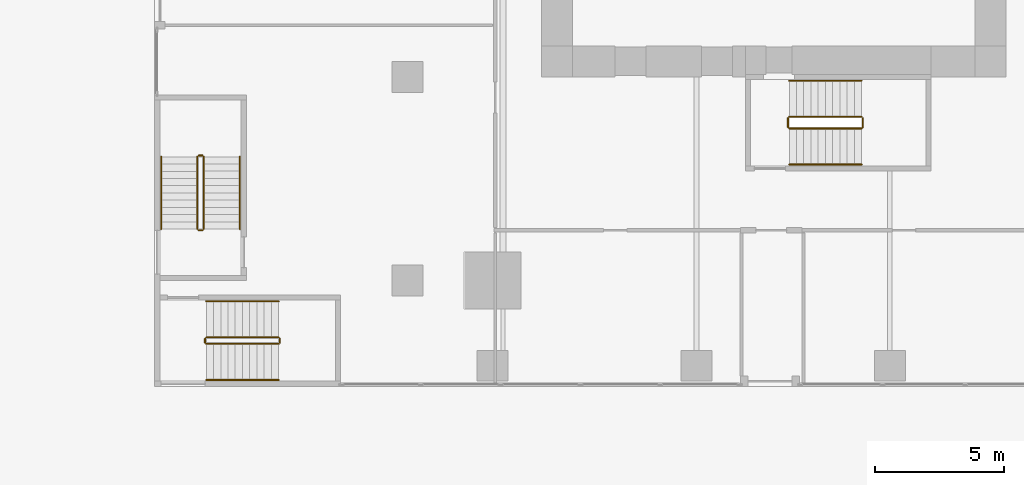
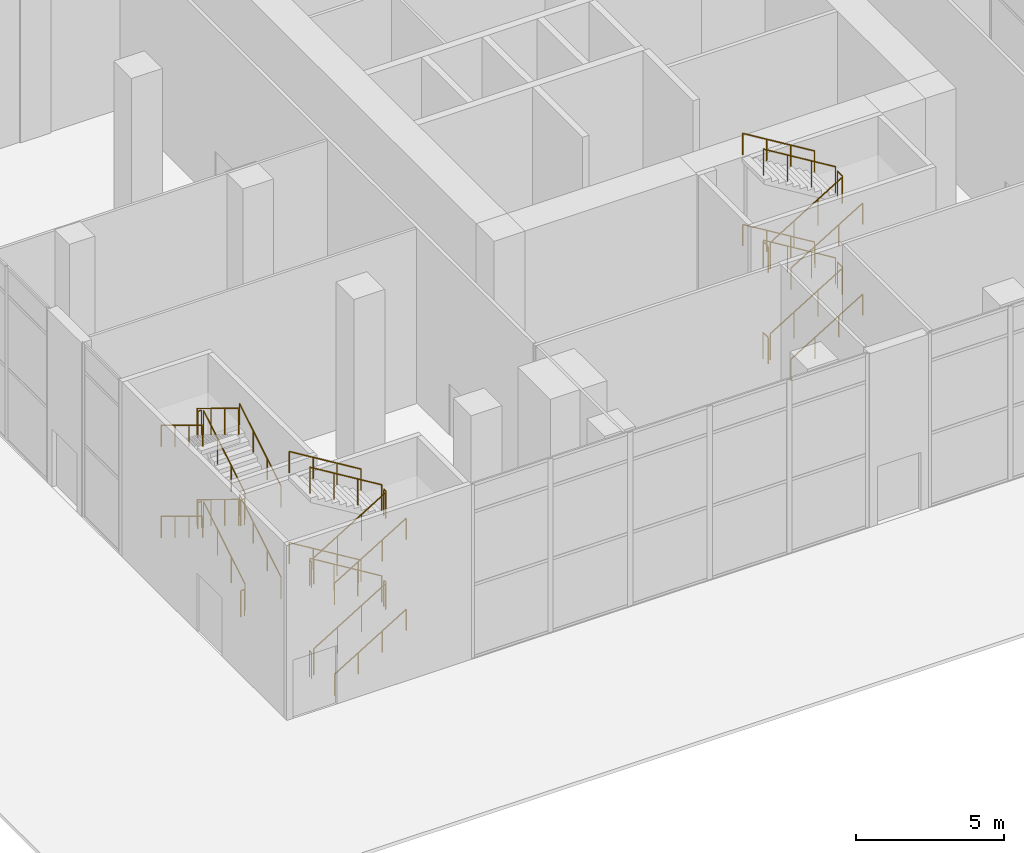
# One storey, part 44 of 52: 36 railings.
"""IFC4 building model written with IfcOpenShell, lengths in metres."""

from ifc_helpers import new_model, si_unit, direction, frame, origin, origin_2d, place, context, subcontext, project, spatial, circle, extrude, source, transform, mapped, material, type_object, element, save


model = new_model("IFC4")

# Units and contexts
model_context = context("Model", 3, precision=1e-05, world=origin(), true_north=direction((0.0, 1.0)))
body_context = subcontext(model_context, "Body", "Model", "MODEL_VIEW")
ifc_project = project(units=[si_unit("LENGTHUNIT", "METRE"), si_unit("AREAUNIT", "SQUARE_METRE"), si_unit("VOLUMEUNIT", "CUBIC_METRE"), si_unit("PLANEANGLEUNIT", "RADIAN"), si_unit("MASSUNIT", "GRAM", prefix="KILO")], contexts=[model_context])

# Site, building, storey
site_placement = place(None, origin())
site = spatial("IfcSite", under=ifc_project, at=site_placement, CompositionType="ELEMENT")
building_placement = place(site_placement, origin())
building = spatial("IfcBuilding", under=site, at=building_placement, Name="Khomas Fold Tower", CompositionType="ELEMENT")
storey_placement = place(building_placement, origin())
storey = spatial("IfcBuildingStorey", under=building, at=storey_placement, Name="L00", CompositionType="ELEMENT", Elevation=0.0)

# Railings
ifc_material_1 = material(Name="Steel balustrade", Category="steel")
railing_type_1 = type_object("IfcRailingType", Name="Stair guard", PredefinedType="GUARDRAIL", material=ifc_material_1)
shared_shape_1 = source(origin(), body_context, "Body", "SweptSolid", [
    extrude(circle(Radius=0.02392578125, at=origin_2d()), frame((0.0, 0.0, 1.076171875), z_axis=(0.0, 1.0, 0.0), x_axis=(-1.0, 0.0, 0.0)), (0.0, 0.0, 1.0), 0.349853515625),
    extrude(circle(Radius=0.02099609375, at=origin_2d()), origin(), (0.0, 0.0, 1.0), 1.052001953125),
    extrude(circle(Radius=0.02099609375, at=origin_2d()), frame((0.0, 0.349853515625, 0.0)), (0.0, 0.0, 1.0), 1.052001953125),
])
for number, where, name in (
    (1, (18.449951171875, 10.050048828125, 1.875), "L00 ST2 stair guard 2"),
    (2, (15.550048828125, 10.050048828125, 3.75), "L00 ST2 stair guard 4"),
    (3, (18.449951171875, 10.050048828125, 5.625), "L00 ST2 stair guard 6"),
    (4, (15.550048828125, 10.050048828125, 0.0), "L00 ST2 stair guard 8"),
):
    element("IfcRailing", number, at=place(storey_placement, frame(where)), inside=storey, type_object=railing_type_1, Name=name, PredefinedType="GUARDRAIL", context=body_context, shape_type="MappedRepresentation", body=[
        mapped(shared_shape_1, transform((0.0, 0.0, 0.0))),
    ])
shared_shape_2 = source(origin(), body_context, "Body", "SweptSolid", [
    extrude(circle(Radius=0.02392578125, at=origin_2d()), frame((0.0, 0.0, 1.076171875), z_axis=(0.854149651119, 0.0, 0.520027281489), x_axis=(0.0, 1.0, 0.0)), (0.0, 0.0, 1.0), 3.27783203125),
    extrude(circle(Radius=0.02099609375, at=origin_2d()), origin(), (0.0, 0.0, 1.0), 1.052001953125),
    extrude(circle(Radius=0.02099609375, at=origin_2d()), frame((0.933349609375, 0.0, 0.568115234375)), (0.0, 0.0, 1.0), 1.052001953125),
    extrude(circle(Radius=0.02099609375, at=origin_2d()), frame((1.866455078125, 0.0, 1.136474609375)), (0.0, 0.0, 1.0), 1.052001953125),
    extrude(circle(Radius=0.02099609375, at=origin_2d()), frame((2.7998046875, 0.0, 1.70458984375)), (0.0, 0.0, 1.0), 1.052001953125),
])
for number, where, name in (
    (5, (15.60009765625, 10.0, 0.17041015625), "L00 ST2 stair guard 1"),
    (6, (15.60009765625, 10.0, 3.92041015625), "L00 ST2 stair guard 5"),
):
    element("IfcRailing", number, at=place(storey_placement, frame(where)), inside=storey, type_object=railing_type_1, Name=name, PredefinedType="GUARDRAIL", context=body_context, shape_type="MappedRepresentation", body=[
        mapped(shared_shape_2, transform((0.0, 0.0, 0.0))),
    ])
shared_shape_3 = source(origin(), body_context, "Body", "SweptSolid", [
    extrude(circle(Radius=0.02392578125, at=origin_2d()), frame((0.0, 0.0, 1.076171875), z_axis=(-0.854149651119, 0.0, 0.520027281489), x_axis=(0.0, -1.0, 0.0)), (0.0, 0.0, 1.0), 3.27783203125),
    extrude(circle(Radius=0.02099609375, at=origin_2d()), origin(), (0.0, 0.0, 1.0), 1.052001953125),
    extrude(circle(Radius=0.02099609375, at=origin_2d()), frame((-0.933349609375, 0.0, 0.568115234375)), (0.0, 0.0, 1.0), 1.052001953125),
    extrude(circle(Radius=0.02099609375, at=origin_2d()), frame((-1.866455078125, 0.0, 1.136474609375)), (0.0, 0.0, 1.0), 1.052001953125),
    extrude(circle(Radius=0.02099609375, at=origin_2d()), frame((-2.7998046875, 0.0, 1.70458984375)), (0.0, 0.0, 1.0), 1.052001953125),
])
for number, where, name in (
    (7, (18.39990234375, 10.449951171875, 2.04541015625), "L00 ST2 stair guard 3"),
    (8, (18.39990234375, 10.449951171875, 5.79541015625), "L00 ST2 stair guard 7"),
):
    element("IfcRailing", number, at=place(storey_placement, frame(where)), inside=storey, type_object=railing_type_1, Name=name, PredefinedType="GUARDRAIL", context=body_context, shape_type="MappedRepresentation", body=[
        mapped(shared_shape_3, transform((0.0, 0.0, 0.0))),
    ])
ifc_material_2 = material(Name="Steel handrail", Category="steel")
railing_type_2 = type_object("IfcRailingType", Name="Stair handrail", PredefinedType="HANDRAIL", material=ifc_material_2)
shared_shape_4 = source(origin(), body_context, "Body", "SweptSolid", [
    extrude(circle(Radius=0.02392578125, at=origin_2d()), frame((0.0, 0.0, 0.8759765625), z_axis=(0.854149651119, 0.0, 0.520027281489), x_axis=(0.0, 1.0, 0.0)), (0.0, 0.0, 1.0), 3.27783203125),
    extrude(circle(Radius=0.02099609375, at=origin_2d()), origin(), (0.0, 0.0, 1.0), 0.851806640625),
    extrude(circle(Radius=0.02099609375, at=origin_2d()), frame((0.933349609375, 0.0, 0.568115234375)), (0.0, 0.0, 1.0), 0.851806640625),
    extrude(circle(Radius=0.02099609375, at=origin_2d()), frame((1.866455078125, 0.0, 1.136474609375)), (0.0, 0.0, 1.0), 0.851806640625),
    extrude(circle(Radius=0.02099609375, at=origin_2d()), frame((2.7998046875, 0.0, 1.70458984375)), (0.0, 0.0, 1.0), 0.851806640625),
])
for number, where, name in (
    (9, (15.60009765625, 8.60009765625, 0.17041015625), "L00 ST2 stair handrail 1"),
    (10, (15.60009765625, 8.60009765625, 3.92041015625), "L00 ST2 stair handrail 3"),
):
    element("IfcRailing", number, at=place(storey_placement, frame(where)), inside=storey, type_object=railing_type_2, Name=name, PredefinedType="HANDRAIL", context=body_context, shape_type="MappedRepresentation", body=[
        mapped(shared_shape_4, transform((0.0, 0.0, 0.0))),
    ])
shared_shape_5 = source(origin(), body_context, "Body", "SweptSolid", [
    extrude(circle(Radius=0.02392578125, at=origin_2d()), frame((0.0, 0.0, 0.8759765625), z_axis=(-0.854149651119, 0.0, 0.520027281489), x_axis=(0.0, -1.0, 0.0)), (0.0, 0.0, 1.0), 3.27783203125),
    extrude(circle(Radius=0.02099609375, at=origin_2d()), origin(), (0.0, 0.0, 1.0), 0.851806640625),
    extrude(circle(Radius=0.02099609375, at=origin_2d()), frame((-0.933349609375, 0.0, 0.568115234375)), (0.0, 0.0, 1.0), 0.851806640625),
    extrude(circle(Radius=0.02099609375, at=origin_2d()), frame((-1.866455078125, 0.0, 1.136474609375)), (0.0, 0.0, 1.0), 0.851806640625),
    extrude(circle(Radius=0.02099609375, at=origin_2d()), frame((-2.7998046875, 0.0, 1.70458984375)), (0.0, 0.0, 1.0), 0.851806640625),
])
for number, where, name in (
    (11, (18.39990234375, 11.85009765625, 2.04541015625), "L00 ST2 stair handrail 2"),
    (12, (18.39990234375, 11.85009765625, 5.79541015625), "L00 ST2 stair handrail 4"),
):
    element("IfcRailing", number, at=place(storey_placement, frame(where)), inside=storey, type_object=railing_type_2, Name=name, PredefinedType="HANDRAIL", context=body_context, shape_type="MappedRepresentation", body=[
        mapped(shared_shape_5, transform((0.0, 0.0, 0.0))),
    ])
shared_shape_6 = source(origin(), body_context, "Body", "SweptSolid", [
    extrude(circle(Radius=0.02392578125, at=origin_2d()), frame((0.0, 0.0, 1.076171875), z_axis=(0.854169791009, 0.0, 0.51999420009), x_axis=(0.0, 1.0, 0.0)), (0.0, 0.0, 1.0), 3.278076171875),
    extrude(circle(Radius=0.02099609375, at=origin_2d()), origin(), (0.0, 0.0, 1.0), 1.052001953125),
    extrude(circle(Radius=0.02099609375, at=origin_2d()), frame((0.933349609375, 0.0, 0.568115234375)), (0.0, 0.0, 1.0), 1.052001953125),
    extrude(circle(Radius=0.02099609375, at=origin_2d()), frame((1.86669921875, 0.0, 1.136474609375)), (0.0, 0.0, 1.0), 1.052001953125),
    extrude(circle(Radius=0.02099609375, at=origin_2d()), frame((2.800048828125, 0.0, 1.70458984375)), (0.0, 0.0, 1.0), 1.052001953125),
])
for number, where, name in (
    (13, (-7.0, 1.64990234375, 0.17041015625), "L00 PS1 stair guard 1"),
    (14, (-7.0, 1.64990234375, 3.92041015625), "L00 PS1 stair guard 5"),
):
    element("IfcRailing", number, at=place(storey_placement, frame(where)), inside=storey, type_object=railing_type_1, Name=name, PredefinedType="GUARDRAIL", context=body_context, shape_type="MappedRepresentation", body=[
        mapped(shared_shape_6, transform((0.0, 0.0, 0.0))),
    ])
shared_shape_7 = source(origin(), body_context, "Body", "SweptSolid", [
    extrude(circle(Radius=0.02392578125, at=origin_2d()), frame((0.0, 0.0, 1.076171875), z_axis=(-0.854169791009, 0.0, 0.51999420009), x_axis=(0.0, -1.0, 0.0)), (0.0, 0.0, 1.0), 3.278076171875),
    extrude(circle(Radius=0.02099609375, at=origin_2d()), origin(), (0.0, 0.0, 1.0), 1.052001953125),
    extrude(circle(Radius=0.02099609375, at=origin_2d()), frame((-0.933349609375, 0.0, 0.568115234375)), (0.0, 0.0, 1.0), 1.052001953125),
    extrude(circle(Radius=0.02099609375, at=origin_2d()), frame((-1.86669921875, 0.0, 1.136474609375)), (0.0, 0.0, 1.0), 1.052001953125),
    extrude(circle(Radius=0.02099609375, at=origin_2d()), frame((-2.800048828125, 0.0, 1.70458984375)), (0.0, 0.0, 1.0), 1.052001953125),
])
for number, where, name in (
    (15, (-4.199951171875, 1.89990234375, 2.04541015625), "L00 PS1 stair guard 3"),
    (16, (-4.199951171875, 1.89990234375, 5.79541015625), "L00 PS1 stair guard 7"),
):
    element("IfcRailing", number, at=place(storey_placement, frame(where)), inside=storey, type_object=railing_type_1, Name=name, PredefinedType="GUARDRAIL", context=body_context, shape_type="MappedRepresentation", body=[
        mapped(shared_shape_7, transform((0.0, 0.0, 0.0))),
    ])
shared_shape_8 = source(origin(), body_context, "Body", "SweptSolid", [
    extrude(circle(Radius=0.02392578125, at=origin_2d()), frame((0.0, 0.0, 0.8759765625), z_axis=(0.854169791009, 0.0, 0.51999420009), x_axis=(0.0, 1.0, 0.0)), (0.0, 0.0, 1.0), 3.278076171875),
    extrude(circle(Radius=0.02099609375, at=origin_2d()), origin(), (0.0, 0.0, 1.0), 0.851806640625),
    extrude(circle(Radius=0.02099609375, at=origin_2d()), frame((0.933349609375, 0.0, 0.568115234375)), (0.0, 0.0, 1.0), 0.851806640625),
    extrude(circle(Radius=0.02099609375, at=origin_2d()), frame((1.86669921875, 0.0, 1.136474609375)), (0.0, 0.0, 1.0), 0.851806640625),
    extrude(circle(Radius=0.02099609375, at=origin_2d()), frame((2.800048828125, 0.0, 1.70458984375)), (0.0, 0.0, 1.0), 0.851806640625),
])
for number, where, name in (
    (17, (-7.0, 0.25, 0.17041015625), "L00 PS1 stair handrail 1"),
    (18, (-7.0, 0.25, 3.92041015625), "L00 PS1 stair handrail 3"),
):
    element("IfcRailing", number, at=place(storey_placement, frame(where)), inside=storey, type_object=railing_type_2, Name=name, PredefinedType="HANDRAIL", context=body_context, shape_type="MappedRepresentation", body=[
        mapped(shared_shape_8, transform((0.0, 0.0, 0.0))),
    ])
shared_shape_9 = source(origin(), body_context, "Body", "SweptSolid", [
    extrude(circle(Radius=0.02392578125, at=origin_2d()), frame((0.0, 0.0, 0.8759765625), z_axis=(-0.854169791009, 0.0, 0.51999420009), x_axis=(0.0, -1.0, 0.0)), (0.0, 0.0, 1.0), 3.278076171875),
    extrude(circle(Radius=0.02099609375, at=origin_2d()), origin(), (0.0, 0.0, 1.0), 0.851806640625),
    extrude(circle(Radius=0.02099609375, at=origin_2d()), frame((-0.933349609375, 0.0, 0.568115234375)), (0.0, 0.0, 1.0), 0.851806640625),
    extrude(circle(Radius=0.02099609375, at=origin_2d()), frame((-1.86669921875, 0.0, 1.136474609375)), (0.0, 0.0, 1.0), 0.851806640625),
    extrude(circle(Radius=0.02099609375, at=origin_2d()), frame((-2.800048828125, 0.0, 1.70458984375)), (0.0, 0.0, 1.0), 0.851806640625),
])
for number, where, name in (
    (19, (-4.199951171875, 3.300048828125, 2.04541015625), "L00 PS1 stair handrail 2"),
    (20, (-4.199951171875, 3.300048828125, 5.79541015625), "L00 PS1 stair handrail 4"),
):
    element("IfcRailing", number, at=place(storey_placement, frame(where)), inside=storey, type_object=railing_type_2, Name=name, PredefinedType="HANDRAIL", context=body_context, shape_type="MappedRepresentation", body=[
        mapped(shared_shape_9, transform((0.0, 0.0, 0.0))),
    ])
shared_shape_10 = source(origin(), body_context, "Body", "SweptSolid", [
    extrude(circle(Radius=0.02392578125, at=origin_2d()), frame((0.0, 0.0, 1.076171875), z_axis=(0.0, 1.0, 0.0), x_axis=(-1.0, 0.0, 0.0)), (0.0, 0.0, 1.0), 0.150146484375),
    extrude(circle(Radius=0.02099609375, at=origin_2d()), origin(), (0.0, 0.0, 1.0), 1.052001953125),
    extrude(circle(Radius=0.02099609375, at=origin_2d()), frame((0.0, 0.150146484375, 0.0)), (0.0, 0.0, 1.0), 1.052001953125),
])
for number, where, name in (
    (21, (-4.14990234375, 1.699951171875, 1.875), "L00 PS1 stair guard 2"),
    (22, (-7.050048828125, 1.699951171875, 3.75), "L00 PS1 stair guard 4"),
    (23, (-4.14990234375, 1.699951171875, 5.625), "L00 PS1 stair guard 6"),
    (24, (-7.050048828125, 1.699951171875, 0.0), "L00 PS1 stair guard 8"),
):
    element("IfcRailing", number, at=place(storey_placement, frame(where)), inside=storey, type_object=railing_type_1, Name=name, PredefinedType="GUARDRAIL", context=body_context, shape_type="MappedRepresentation", body=[
        mapped(shared_shape_10, transform((0.0, 0.0, 0.0))),
    ])
shared_shape_11 = source(origin(), body_context, "Body", "SweptSolid", [
    extrude(circle(Radius=0.02392578125, at=origin_2d()), frame((0.0, 0.0, 1.076171875), z_axis=(0.0, 0.854149651119, 0.520027281489), x_axis=(-1.0, 0.0, 0.0)), (0.0, 0.0, 1.0), 3.27783203125),
    extrude(circle(Radius=0.02099609375, at=origin_2d()), origin(), (0.0, 0.0, 1.0), 1.052001953125),
    extrude(circle(Radius=0.02099609375, at=origin_2d()), frame((0.0, 0.933349609375, 0.568115234375)), (0.0, 0.0, 1.0), 1.052001953125),
    extrude(circle(Radius=0.02099609375, at=origin_2d()), frame((0.0, 1.866455078125, 1.136474609375)), (0.0, 0.0, 1.0), 1.052001953125),
    extrude(circle(Radius=0.02099609375, at=origin_2d()), frame((0.0, 2.7998046875, 1.70458984375)), (0.0, 0.0, 1.0), 1.052001953125),
])
for number, where, name in (
    (25, (-7.10009765625, 6.10009765625, 0.17041015625), "L00 PS2 stair guard 1"),
    (26, (-7.10009765625, 6.10009765625, 3.92041015625), "L00 PS2 stair guard 5"),
):
    element("IfcRailing", number, at=place(storey_placement, frame(where)), inside=storey, type_object=railing_type_1, Name=name, PredefinedType="GUARDRAIL", context=body_context, shape_type="MappedRepresentation", body=[
        mapped(shared_shape_11, transform((0.0, 0.0, 0.0))),
    ])
shared_shape_12 = source(origin(), body_context, "Body", "SweptSolid", [
    extrude(circle(Radius=0.02392578125, at=origin_2d()), frame((0.0, 0.0, 1.076171875), z_axis=(-1.0, 0.0, 0.0), x_axis=(0.0, -1.0, 0.0)), (0.0, 0.0, 1.0), 0.150146484375),
    extrude(circle(Radius=0.02099609375, at=origin_2d()), origin(), (0.0, 0.0, 1.0), 1.052001953125),
    extrude(circle(Radius=0.02099609375, at=origin_2d()), frame((-0.150146484375, 0.0, 0.0)), (0.0, 0.0, 1.0), 1.052001953125),
])
for number, where, name in (
    (27, (-7.14990234375, 8.949951171875, 1.875), "L00 PS2 stair guard 2"),
    (28, (-7.14990234375, 6.050048828125, 3.75), "L00 PS2 stair guard 4"),
    (29, (-7.14990234375, 8.949951171875, 5.625), "L00 PS2 stair guard 6"),
    (30, (-7.14990234375, 6.050048828125, 0.0), "L00 PS2 stair guard 8"),
):
    element("IfcRailing", number, at=place(storey_placement, frame(where)), inside=storey, type_object=railing_type_1, Name=name, PredefinedType="GUARDRAIL", context=body_context, shape_type="MappedRepresentation", body=[
        mapped(shared_shape_12, transform((0.0, 0.0, 0.0))),
    ])
shared_shape_13 = source(origin(), body_context, "Body", "SweptSolid", [
    extrude(circle(Radius=0.02392578125, at=origin_2d()), frame((0.0, 0.0, 1.076171875), z_axis=(0.0, -0.854149651119, 0.520027281489), x_axis=(1.0, 0.0, 0.0)), (0.0, 0.0, 1.0), 3.27783203125),
    extrude(circle(Radius=0.02099609375, at=origin_2d()), origin(), (0.0, 0.0, 1.0), 1.052001953125),
    extrude(circle(Radius=0.02099609375, at=origin_2d()), frame((0.0, -0.933349609375, 0.568115234375)), (0.0, 0.0, 1.0), 1.052001953125),
    extrude(circle(Radius=0.02099609375, at=origin_2d()), frame((0.0, -1.866455078125, 1.136474609375)), (0.0, 0.0, 1.0), 1.052001953125),
    extrude(circle(Radius=0.02099609375, at=origin_2d()), frame((0.0, -2.7998046875, 1.70458984375)), (0.0, 0.0, 1.0), 1.052001953125),
])
for number, where, name in (
    (31, (-7.35009765625, 8.89990234375, 2.04541015625), "L00 PS2 stair guard 3"),
    (32, (-7.35009765625, 8.89990234375, 5.79541015625), "L00 PS2 stair guard 7"),
):
    element("IfcRailing", number, at=place(storey_placement, frame(where)), inside=storey, type_object=railing_type_1, Name=name, PredefinedType="GUARDRAIL", context=body_context, shape_type="MappedRepresentation", body=[
        mapped(shared_shape_13, transform((0.0, 0.0, 0.0))),
    ])
shared_shape_14 = source(origin(), body_context, "Body", "SweptSolid", [
    extrude(circle(Radius=0.02392578125, at=origin_2d()), frame((0.0, 0.0, 0.8759765625), z_axis=(0.0, 0.854149651119, 0.520027281489), x_axis=(-1.0, 0.0, 0.0)), (0.0, 0.0, 1.0), 3.27783203125),
    extrude(circle(Radius=0.02099609375, at=origin_2d()), origin(), (0.0, 0.0, 1.0), 0.851806640625),
    extrude(circle(Radius=0.02099609375, at=origin_2d()), frame((0.0, 0.933349609375, 0.568115234375)), (0.0, 0.0, 1.0), 0.851806640625),
    extrude(circle(Radius=0.02099609375, at=origin_2d()), frame((0.0, 1.866455078125, 1.136474609375)), (0.0, 0.0, 1.0), 0.851806640625),
    extrude(circle(Radius=0.02099609375, at=origin_2d()), frame((0.0, 2.7998046875, 1.70458984375)), (0.0, 0.0, 1.0), 0.851806640625),
])
for number, where, name in (
    (33, (-5.699951171875, 6.10009765625, 0.17041015625), "L00 PS2 stair handrail 1"),
    (34, (-5.699951171875, 6.10009765625, 3.92041015625), "L00 PS2 stair handrail 3"),
):
    element("IfcRailing", number, at=place(storey_placement, frame(where)), inside=storey, type_object=railing_type_2, Name=name, PredefinedType="HANDRAIL", context=body_context, shape_type="MappedRepresentation", body=[
        mapped(shared_shape_14, transform((0.0, 0.0, 0.0))),
    ])
shared_shape_15 = source(origin(), body_context, "Body", "SweptSolid", [
    extrude(circle(Radius=0.02392578125, at=origin_2d()), frame((0.0, 0.0, 0.8759765625), z_axis=(0.0, -0.854149651119, 0.520027281489), x_axis=(1.0, 0.0, 0.0)), (0.0, 0.0, 1.0), 3.27783203125),
    extrude(circle(Radius=0.02099609375, at=origin_2d()), origin(), (0.0, 0.0, 1.0), 0.851806640625),
    extrude(circle(Radius=0.02099609375, at=origin_2d()), frame((0.0, -0.933349609375, 0.568115234375)), (0.0, 0.0, 1.0), 0.851806640625),
    extrude(circle(Radius=0.02099609375, at=origin_2d()), frame((0.0, -1.866455078125, 1.136474609375)), (0.0, 0.0, 1.0), 0.851806640625),
    extrude(circle(Radius=0.02099609375, at=origin_2d()), frame((0.0, -2.7998046875, 1.70458984375)), (0.0, 0.0, 1.0), 0.851806640625),
])
for number, where, name in (
    (35, (-8.75, 8.89990234375, 2.04541015625), "L00 PS2 stair handrail 2"),
    (36, (-8.75, 8.89990234375, 5.79541015625), "L00 PS2 stair handrail 4"),
):
    element("IfcRailing", number, at=place(storey_placement, frame(where)), inside=storey, type_object=railing_type_2, Name=name, PredefinedType="HANDRAIL", context=body_context, shape_type="MappedRepresentation", body=[
        mapped(shared_shape_15, transform((0.0, 0.0, 0.0))),
    ])

save(model, "model.ifc")
